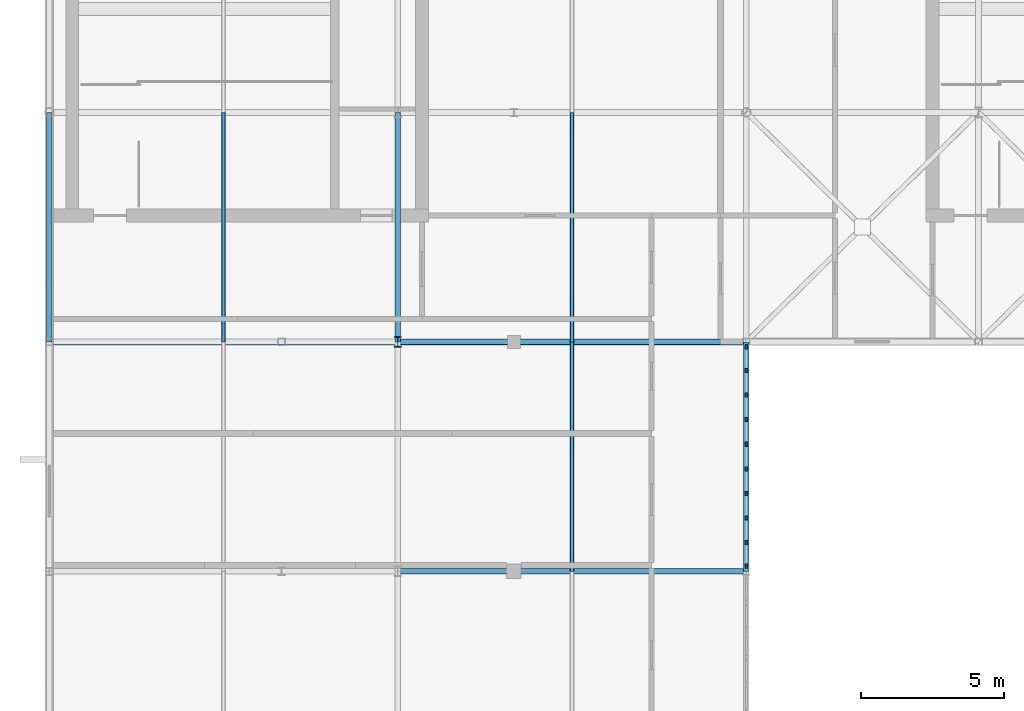
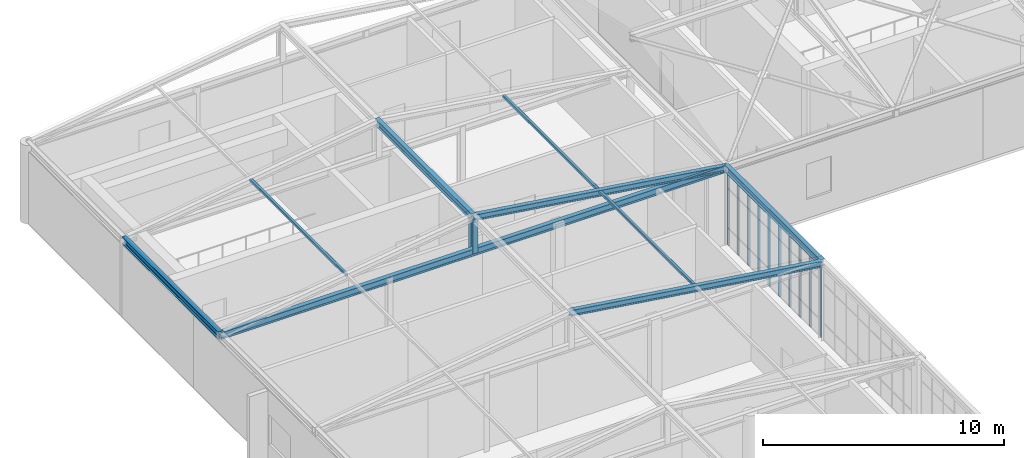
# One storey, part 6 of 21: 16 members, 4 beams, 1 element without a shape of its own.
"""IFC4 building model written with IfcOpenShell, lengths in metres."""

import ifcopenshell
import ifcopenshell.guid

model = None  # the IFC model being written
_history = None  # IfcOwnerHistory: only IFC2X3 demands one
_inside = {}  # id of a spatial element -> (the spatial element, [elements in it])
_under = {}  # id of a project, library or spatial element -> (it, [spatial elements below it])
_declared = {}  # id of a project -> (the project, [libraries it declares])
_typed = {}  # id of a type object -> (the type object, [elements of that type])
_made_of = {}  # id of a material, layer set ... -> (it, [elements and type objects made of it])


def new_model(schema):
    """Start an empty IFC model of exactly this schema.

    Asked for "IFC4X3", IfcOpenShell would pick the latest addendum, in which some entities
    have other attributes; the version numbers below select the first issue.
    IFC2X3 requires an IfcOwnerHistory on every rooted entity: one is made here for all.
    """
    global model, _history
    if schema == "IFC4X3":
        model = ifcopenshell.file(schema_version=(4, 3, 0, 0))
    else:
        model = ifcopenshell.file(schema=schema)
    _inside.clear()
    _under.clear()
    _declared.clear()
    _typed.clear()
    _made_of.clear()
    _history = None
    if model.schema == "IFC2X3":
        org = make("IfcOrganization", Name="unknown")
        user = make(
            "IfcPersonAndOrganization",
            ThePerson=make("IfcPerson", FamilyName="unknown"),
            TheOrganization=org,
        )
        app = make(
            "IfcApplication",
            ApplicationDeveloper=org,
            Version="unknown",
            ApplicationFullName="unknown",
            ApplicationIdentifier="unknown",
        )
        _history = make(
            "IfcOwnerHistory",
            OwningUser=user,
            OwningApplication=app,
            ChangeAction="ADDED",
            CreationDate=0,
        )
    return model


def make(cls, **values):
    """One entity of the class cls with the attributes given. An attribute that is None is left unset."""
    return model.create_entity(
        cls, **{name: value for name, value in values.items() if value is not None}
    )


def rooted(cls, **values):
    """An entity with a GlobalId (a new one), such as an element, a storey or a relation."""
    return make(cls, GlobalId=ifcopenshell.guid.new(), OwnerHistory=_history, **values)


def si_unit(unit_type, name, prefix=None):
    """IfcSIUnit, for example si_unit("LENGTHUNIT", "METRE", prefix="MILLI")."""
    return make("IfcSIUnit", UnitType=unit_type, Prefix=prefix, Name=name)


def assignment(units):
    """IfcUnitAssignment: the units of a project."""
    return None if units is None else make("IfcUnitAssignment", Units=units)


def point(xyz):
    """IfcCartesianPoint."""
    return None if xyz is None else make("IfcCartesianPoint", Coordinates=xyz)


def direction(xyz):
    """IfcDirection."""
    return None if xyz is None else make("IfcDirection", DirectionRatios=xyz)


def frame(location, z_axis=None, x_axis=None):
    """IfcAxis2Placement3D, a coordinate frame: its origin and axes. An axis left out is left unset."""
    return make(
        "IfcAxis2Placement3D",
        Location=point(location),
        Axis=direction(z_axis),
        RefDirection=direction(x_axis),
    )


def frame_2d(location, x_axis=None):
    """IfcAxis2Placement2D, a coordinate frame in the plane: its origin and x axis."""
    return make(
        "IfcAxis2Placement2D", Location=point(location), RefDirection=direction(x_axis)
    )


def origin():
    """The frame at (0, 0, 0) with its axes left unset."""
    return frame((0.0, 0.0, 0.0))


def origin_2d():
    """The frame at (0, 0) in the plane with its x axis left unset."""
    return frame_2d((0.0, 0.0))


def place(relative_to, where):
    """IfcLocalPlacement: puts the frame where relative to a parent placement (None: the world)."""
    return make(
        "IfcLocalPlacement", PlacementRelTo=relative_to, RelativePlacement=where
    )


def context(
    kind, dimensions, precision=None, world=None, true_north=None, identifier=None
):
    """IfcGeometricRepresentationContext, for example the 3D "Model" context."""
    return make(
        "IfcGeometricRepresentationContext",
        ContextIdentifier=identifier,
        ContextType=kind,
        CoordinateSpaceDimension=dimensions,
        Precision=precision,
        WorldCoordinateSystem=world,
        TrueNorth=true_north,
    )


def subcontext(parent, identifier, kind, view, scale=None):
    """IfcGeometricRepresentationSubContext, for example "Body" below "Model"."""
    return make(
        "IfcGeometricRepresentationSubContext",
        ContextIdentifier=identifier,
        ContextType=kind,
        ParentContext=parent,
        TargetScale=scale,
        TargetView=view,
    )


def project(units=None, contexts=None):
    """IfcProject with its units and contexts."""
    return rooted(
        "IfcProject",
        Name="project",
        RepresentationContexts=contexts,
        UnitsInContext=assignment(units),
    )


def spatial(cls, under=None, at=None, **own):
    """A site, building, storey or space (cls), placed at a placement, below another one or the project."""
    s = rooted(cls, ObjectPlacement=at, **own)
    if under is not None:
        _under.setdefault(under.id(), (under, []))[1].append(s)
    return s


def profile(cls, at=None, kind="AREA", **sizes):
    """A parametric profile (cls). Its sizes go by their IFC names, for example OverallWidth=200.0."""
    return make(cls, ProfileType=kind, Position=at, **sizes)


def rectangle(**sizes):
    """IfcRectangleProfileDef."""
    return profile("IfcRectangleProfileDef", **sizes)


def hollow_rectangle(**sizes):
    """IfcRectangleHollowProfileDef."""
    return profile("IfcRectangleHollowProfileDef", **sizes)


def i_section(**sizes):
    """IfcIShapeProfileDef."""
    return profile("IfcIShapeProfileDef", **sizes)


def extrude(swept, where, along, depth):
    """IfcExtrudedAreaSolid: the profile swept, set in the frame where, extruded along a direction by depth."""
    return make(
        "IfcExtrudedAreaSolid",
        SweptArea=swept,
        Position=where,
        ExtrudedDirection=direction(along),
        Depth=depth,
    )


def shape(context_of_items, identifier, shape_type, items):
    """IfcShapeRepresentation: the items that make up one representation, for example the "Body"."""
    return make(
        "IfcShapeRepresentation",
        ContextOfItems=context_of_items,
        RepresentationIdentifier=identifier,
        RepresentationType=shape_type,
        Items=items,
    )


def material(Name=None, Category=None):
    """IfcMaterial."""
    return make("IfcMaterial", Name=Name, Category=Category)


def material_profile(
    of_material, cross_section, Name=None, Category=None, Priority=None
):
    """IfcMaterialProfile: a cross section and its material."""
    return make(
        "IfcMaterialProfile",
        Name=Name,
        Material=of_material,
        Profile=cross_section,
        Priority=Priority,
        Category=Category,
    )


def profile_set(profiles, Name=None, composite=None):
    """IfcMaterialProfileSet."""
    return make(
        "IfcMaterialProfileSet",
        Name=Name,
        MaterialProfiles=profiles,
        CompositeProfile=composite,
    )


def made_of(thing, what):
    """Note that an element or type object is made of a material, layer set ...; save() writes the relation."""
    if what is not None:
        _made_of.setdefault(what.id(), (what, []))[1].append(thing)
    return thing


def type_object(cls, material=None, **own):
    """A type object (cls), such as IfcWallType, which elements share."""
    return made_of(rooted(cls, **own), material)


def element(
    cls,
    number,
    at=None,
    inside=None,
    cuts=None,
    type_object=None,
    material=None,
    context=None,
    identifier="Body",
    shape_type=None,
    held_by="IfcProductDefinitionShape",
    body=None,
    shapes=None,
    **own,
):
    """One element of the class cls, such as IfcWall. Its Tag is "e" and its number.

    at: its placement. inside: the storey or other place that contains it. cuts: it is an
    opening in that element (IfcRelVoidsElement). A single representation is given by context,
    identifier, shape_type and body (its items); several are given by shapes. held_by: the class
    of the entity that holds the representations. save() writes the other relations.
    """
    e = rooted(cls, Tag="e%d" % number, ObjectPlacement=at, **own)
    if body is not None:
        shapes = [shape(context, identifier, shape_type, body)]
    if shapes is not None:
        e.Representation = make(held_by, Representations=shapes)
    if inside is not None:
        _inside.setdefault(inside.id(), (inside, []))[1].append(e)
    if cuts is not None:
        rooted(
            "IfcRelVoidsElement", RelatingBuildingElement=cuts, RelatedOpeningElement=e
        )
    if type_object is not None:
        _typed.setdefault(type_object.id(), (type_object, []))[1].append(e)
    return made_of(e, material)


def aggregate(whole, parts):
    """IfcRelAggregates: a whole, such as a stair, and the parts it consists of."""
    return rooted("IfcRelAggregates", RelatingObject=whole, RelatedObjects=parts)


def save(model, path):
    """Write the relations noted so far, then the file.

    IfcRelAggregates (storeys below a building ...), IfcRelContainedInSpatialStructure (elements
    in a storey), IfcRelDefinesByType, IfcRelAssociatesMaterial and IfcRelDeclares: one each for
    every whole, place, type object, material and project.
    """
    for whole, parts in _under.values():
        aggregate(whole, parts)
    for where, things in _inside.values():
        rooted(
            "IfcRelContainedInSpatialStructure",
            RelatedElements=things,
            RelatingStructure=where,
        )
    for kind, things in _typed.values():
        rooted("IfcRelDefinesByType", RelatedObjects=things, RelatingType=kind)
    for what, things in _made_of.values():
        rooted("IfcRelAssociatesMaterial", RelatedObjects=things, RelatingMaterial=what)
    for by, libraries in _declared.values():
        rooted("IfcRelDeclares", RelatingContext=by, RelatedDefinitions=libraries)
    model.write(path)


model = new_model("IFC4")

# Units and contexts
model_context = context("Model", 3, precision=1e-05, world=origin(), true_north=direction((0.0, 1.0)))
body_context = subcontext(model_context, "Body", "Model", "MODEL_VIEW")
ifc_project = project(units=[si_unit("LENGTHUNIT", "METRE"), si_unit("AREAUNIT", "SQUARE_METRE"), si_unit("VOLUMEUNIT", "CUBIC_METRE"), si_unit("PLANEANGLEUNIT", "RADIAN"), si_unit("MASSUNIT", "GRAM", prefix="KILO")], contexts=[model_context])

# Site, building, storey
site_placement = place(None, origin())
site = spatial("IfcSite", under=ifc_project, at=site_placement, CompositionType="ELEMENT")
building_placement = place(site_placement, origin())
building = spatial("IfcBuilding", under=site, at=building_placement, Name="Tarnveldt Square Police Headquarters", CompositionType="ELEMENT")
storey_placement = place(building_placement, frame((0.0, 0.0, 33.300048828125)))
storey = spatial("IfcBuildingStorey", under=building, at=storey_placement, Name="L07", CompositionType="ELEMENT", Elevation=33.300048828125)

# Beams
ifc_material_1 = material(Name="Steel 350W", Category="steel")
ifc_material_profile_1 = material_profile(ifc_material_1, i_section(OverallWidth=0.205078125, OverallDepth=0.35400390625, WebThickness=0.009521484375, FlangeThickness=0.016845703125, FilletRadius=0.01611328125, at=origin_2d()), Name="W360x79")
ifc_profile_set_1 = profile_set([ifc_material_profile_1], Name="Steel 350W")
beam_type = type_object("IfcBeamType", Name="BM-W360x79", PredefinedType="JOIST", material=ifc_profile_set_1)
beam_placement = place(storey_placement, frame((16.199951171875, 96.0, 3.83984375), z_axis=(1.0, 0.0, 0.0), x_axis=(0.0, 1.0, 0.0)))
element("IfcBeam", 1, at=beam_placement, inside=storey, type_object=beam_type, Name="L07 Roof Tie Girder 96", PredefinedType="JOIST", context=body_context, shape_type="SweptSolid", body=[
    extrude(i_section(OverallWidth=0.205078125, OverallDepth=0.35400390625, WebThickness=0.009521484375, FlangeThickness=0.016845703125, FilletRadius=0.01611328125, at=origin_2d()), origin(), (0.0, 0.0, 1.0), 24.300048828125),
])
for number, where, z_axis, x_axis, name in (
    (2, (40.5, 88.0, 3.83984375), (0.0, 1.0, 0.0), (-1.0, 0.0, 0.0), "L07 Eave Girder E-5"),
    (3, (16.199951171875, 96.0, 3.83984375), (0.0, 1.0, 0.0), (-1.0, 0.0, 0.0), "L07 Eave Girder W-6"),
    (4, (28.35009765625, 96.0, 5.579833984375), (0.0, 1.0, 0.0), (-1.0, 0.0, 0.0), "L07 Ridge Beam 6"),
):
    element("IfcBeam", number, at=place(storey_placement, frame(where, z_axis=z_axis, x_axis=x_axis)), inside=storey, type_object=beam_type, Name=name, PredefinedType="JOIST", context=body_context, shape_type="SweptSolid", body=[
        extrude(i_section(OverallWidth=0.205078125, OverallDepth=0.35400390625, WebThickness=0.009521484375, FlangeThickness=0.016845703125, FilletRadius=0.01611328125, at=origin_2d()), origin(), (0.0, 0.0, 1.0), 8.0),
    ])

# Curtain wall, members
ifc_material_2 = material(Name="Triple-glazed low-e laminated vision glass", Category="glass")
curtain_wall_type = type_object("IfcCurtainWallType", Name="CW-UP-771x366", PredefinedType="USERDEFINED", material=ifc_material_2)
curtain_wall_placement = place(storey_placement, origin())
curtain_wall = element("IfcCurtainWall", 5, at=curtain_wall_placement, inside=storey, type_object=curtain_wall_type, Name="L07 Curtain Wall CW-L07-098", ObjectType="GLAZED CURTAIN WALL", PredefinedType="USERDEFINED")
ifc_material_3 = material(Name="Thermally broken anodised aluminium 6063-T6", Category="aluminium")
ifc_material_profile_2 = material_profile(ifc_material_3, rectangle(XDim=0.06494140625, YDim=0.159912109375, at=origin_2d()), Name="CW-M65x160")
ifc_profile_set_2 = profile_set([ifc_material_profile_2], Name="Thermally broken anodised aluminium 6063-T6")
member_type_1 = type_object("IfcMemberType", Name="CWM-65x160", PredefinedType="MULLION", material=ifc_profile_set_2)
member_1_placement = place(storey_placement, frame((40.5, 88.177490234375, 0.0), z_axis=(0.0, 0.0, 1.0), x_axis=(-1.0, 0.0, 0.0)))
member_1 = element("IfcMember", 6, at=member_1_placement, type_object=member_type_1, Name="CW-UP55 mullion 1", PredefinedType="MULLION", context=body_context, shape_type="SweptSolid", body=[
    extrude(rectangle(XDim=0.06494140625, YDim=0.159912109375, at=origin_2d()), origin(), (0.0, 0.0, 1.0), 3.655029296875),
])
member_2_placement = place(storey_placement, frame((40.5, 89.001953125, 0.0), z_axis=(0.0, 0.0, 1.0), x_axis=(-1.0, 0.0, 0.0)))
member_2 = element("IfcMember", 7, at=member_2_placement, type_object=member_type_1, Name="CW-UP55 mullion 2", PredefinedType="MULLION", context=body_context, shape_type="SweptSolid", body=[
    extrude(rectangle(XDim=0.06494140625, YDim=0.159912109375, at=origin_2d()), origin(), (0.0, 0.0, 1.0), 3.655029296875),
])
member_3_placement = place(storey_placement, frame((40.5, 89.85888671875, 0.0), z_axis=(0.0, 0.0, 1.0), x_axis=(-1.0, 0.0, 0.0)))
member_3 = element("IfcMember", 8, at=member_3_placement, type_object=member_type_1, Name="CW-UP55 mullion 3", PredefinedType="MULLION", context=body_context, shape_type="SweptSolid", body=[
    extrude(rectangle(XDim=0.06494140625, YDim=0.159912109375, at=origin_2d()), origin(), (0.0, 0.0, 1.0), 3.655029296875),
])
member_4_placement = place(storey_placement, frame((40.5, 90.716064453125, 0.0), z_axis=(0.0, 0.0, 1.0), x_axis=(-1.0, 0.0, 0.0)))
member_4 = element("IfcMember", 9, at=member_4_placement, type_object=member_type_1, Name="CW-UP55 mullion 4", PredefinedType="MULLION", context=body_context, shape_type="SweptSolid", body=[
    extrude(rectangle(XDim=0.06494140625, YDim=0.159912109375, at=origin_2d()), origin(), (0.0, 0.0, 1.0), 3.655029296875),
])
member_5_placement = place(storey_placement, frame((40.5, 91.572998046875, 0.0), z_axis=(0.0, 0.0, 1.0), x_axis=(-1.0, 0.0, 0.0)))
member_5 = element("IfcMember", 10, at=member_5_placement, type_object=member_type_1, Name="CW-UP55 mullion 5", PredefinedType="MULLION", context=body_context, shape_type="SweptSolid", body=[
    extrude(rectangle(XDim=0.06494140625, YDim=0.159912109375, at=origin_2d()), origin(), (0.0, 0.0, 1.0), 3.655029296875),
])
member_6_placement = place(storey_placement, frame((40.5, 92.429931640625, 0.0), z_axis=(0.0, 0.0, 1.0), x_axis=(-1.0, 0.0, 0.0)))
member_6 = element("IfcMember", 11, at=member_6_placement, type_object=member_type_1, Name="CW-UP55 mullion 6", PredefinedType="MULLION", context=body_context, shape_type="SweptSolid", body=[
    extrude(rectangle(XDim=0.06494140625, YDim=0.159912109375, at=origin_2d()), origin(), (0.0, 0.0, 1.0), 3.655029296875),
])
member_7_placement = place(storey_placement, frame((40.5, 93.287109375, 0.0), z_axis=(0.0, 0.0, 1.0), x_axis=(-1.0, 0.0, 0.0)))
member_7 = element("IfcMember", 12, at=member_7_placement, type_object=member_type_1, Name="CW-UP55 mullion 7", PredefinedType="MULLION", context=body_context, shape_type="SweptSolid", body=[
    extrude(rectangle(XDim=0.06494140625, YDim=0.159912109375, at=origin_2d()), origin(), (0.0, 0.0, 1.0), 3.655029296875),
])
member_8_placement = place(storey_placement, frame((40.5, 94.14404296875, 0.0), z_axis=(0.0, 0.0, 1.0), x_axis=(-1.0, 0.0, 0.0)))
member_8 = element("IfcMember", 13, at=member_8_placement, type_object=member_type_1, Name="CW-UP55 mullion 8", PredefinedType="MULLION", context=body_context, shape_type="SweptSolid", body=[
    extrude(rectangle(XDim=0.06494140625, YDim=0.159912109375, at=origin_2d()), origin(), (0.0, 0.0, 1.0), 3.655029296875),
])
member_9_placement = place(storey_placement, frame((40.5, 95.0009765625, 0.0), z_axis=(0.0, 0.0, 1.0), x_axis=(-1.0, 0.0, 0.0)))
member_9 = element("IfcMember", 14, at=member_9_placement, type_object=member_type_1, Name="CW-UP55 mullion 9", PredefinedType="MULLION", context=body_context, shape_type="SweptSolid", body=[
    extrude(rectangle(XDim=0.06494140625, YDim=0.159912109375, at=origin_2d()), origin(), (0.0, 0.0, 1.0), 3.655029296875),
])
member_10_placement = place(storey_placement, frame((40.5, 95.825439453125, 0.0), z_axis=(0.0, 0.0, 1.0), x_axis=(-1.0, 0.0, 0.0)))
member_10 = element("IfcMember", 15, at=member_10_placement, type_object=member_type_1, Name="CW-UP55 mullion 10", PredefinedType="MULLION", context=body_context, shape_type="SweptSolid", body=[
    extrude(rectangle(XDim=0.06494140625, YDim=0.159912109375, at=origin_2d()), origin(), (0.0, 0.0, 1.0), 3.655029296875),
])
aggregate(curtain_wall, [member_1, member_2, member_3, member_4, member_5, member_6, member_7, member_8, member_9, member_10])

# Members
ifc_material_profile_3 = material_profile(ifc_material_1, i_section(OverallWidth=0.257080078125, OverallDepth=0.363037109375, WebThickness=0.012939453125, FlangeThickness=0.021728515625, FilletRadius=0.01611328125, at=origin_2d()), Name="W360x122")
ifc_profile_set_3 = profile_set([ifc_material_profile_3], Name="Steel 350W")
member_type_2 = type_object("IfcMemberType", Name="MEM-CT-POST", PredefinedType="STRUT", material=ifc_profile_set_3)
member_11_placement = place(storey_placement, frame((28.35009765625, 96.0, 3.83984375), z_axis=(0.0, 0.0, 1.0), x_axis=(1.0, 0.0, 0.0)))
element("IfcMember", 16, at=member_11_placement, inside=storey, type_object=member_type_2, Name="L07 Roof King Post 96", PredefinedType="STRUT", context=body_context, shape_type="SweptSolid", body=[
    extrude(i_section(OverallWidth=0.257080078125, OverallDepth=0.363037109375, WebThickness=0.012939453125, FlangeThickness=0.021728515625, FilletRadius=0.01611328125, at=origin_2d()), origin(), (0.0, 0.0, 1.0), 1.739990234375),
])
ifc_material_profile_4 = material_profile(ifc_material_1, hollow_rectangle(XDim=0.126953125, YDim=0.126953125, WallThickness=0.008056640625, InnerFilletRadius=0.008056640625, OuterFilletRadius=0.01611328125, at=origin_2d()), Name="HSS127x127x8.0")
ifc_profile_set_4 = profile_set([ifc_material_profile_4], Name="Steel 350W")
member_type_3 = type_object("IfcMemberType", Name="MEM-L07-PUR", PredefinedType="PURLIN", material=ifc_profile_set_4)
for number, where, z_axis, x_axis, name in (
    (17, (34.425048828125, 88.0, 4.760009765625), (0.0, 1.0, 0.0), (-1.0, 0.0, 0.0), "L07 Pitched Roof Purlin E-5"),
    (18, (22.27490234375, 96.0, 4.760009765625), (0.0, 1.0, 0.0), (-1.0, 0.0, 0.0), "L07 Pitched Roof Purlin W-6"),
    (19, (34.425048828125, 96.0, 4.760009765625), (0.0, 1.0, 0.0), (-1.0, 0.0, 0.0), "L07 Pitched Roof Purlin E-6"),
):
    element("IfcMember", number, at=place(storey_placement, frame(where, z_axis=z_axis, x_axis=x_axis)), inside=storey, type_object=member_type_3, Name=name, PredefinedType="PURLIN", context=body_context, shape_type="SweptSolid", body=[
        extrude(hollow_rectangle(XDim=0.126953125, YDim=0.126953125, WallThickness=0.008056640625, InnerFilletRadius=0.008056640625, OuterFilletRadius=0.01611328125, at=origin_2d()), origin(), (0.0, 0.0, 1.0), 8.0),
    ])
ifc_material_profile_5 = material_profile(ifc_material_1, i_section(OverallWidth=0.202880859375, OverallDepth=0.302978515625, WebThickness=0.007568359375, FlangeThickness=0.01318359375, FilletRadius=0.014892578125, at=origin_2d()), Name="W310x60")
ifc_profile_set_5 = profile_set([ifc_material_profile_5], Name="Steel 350W")
member_type_4 = type_object("IfcMemberType", Name="MEM-L07-RAF", PredefinedType="RAFTER", material=ifc_profile_set_5)
for number, where, z_axis, x_axis, name in (
    (20, (28.35009765625, 88.0, 5.579833984375), (0.989900502297, 0.0, -0.141763872521), (0.0, 1.0, 0.0), "L07 Pitched Roof Rafter E-88"),
    (21, (28.35009765625, 96.0, 5.579833984375), (0.989900502297, 0.0, -0.141763872521), (0.0, 1.0, 0.0), "L07 Pitched Roof Rafter E-96"),
):
    element("IfcMember", number, at=place(storey_placement, frame(where, z_axis=z_axis, x_axis=x_axis)), inside=storey, type_object=member_type_4, Name=name, PredefinedType="RAFTER", context=body_context, shape_type="SweptSolid", body=[
        extrude(i_section(OverallWidth=0.202880859375, OverallDepth=0.302978515625, WebThickness=0.007568359375, FlangeThickness=0.01318359375, FilletRadius=0.014892578125, at=origin_2d()), origin(), (0.0, 0.0, 1.0), 12.27392578125),
    ])

save(model, "model.ifc")
